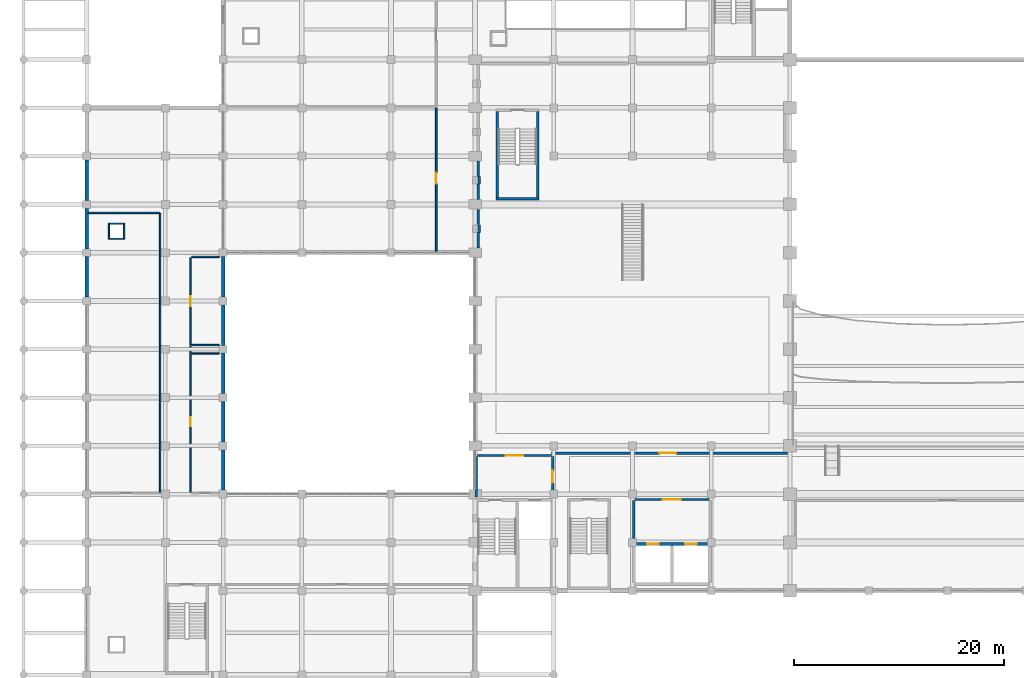
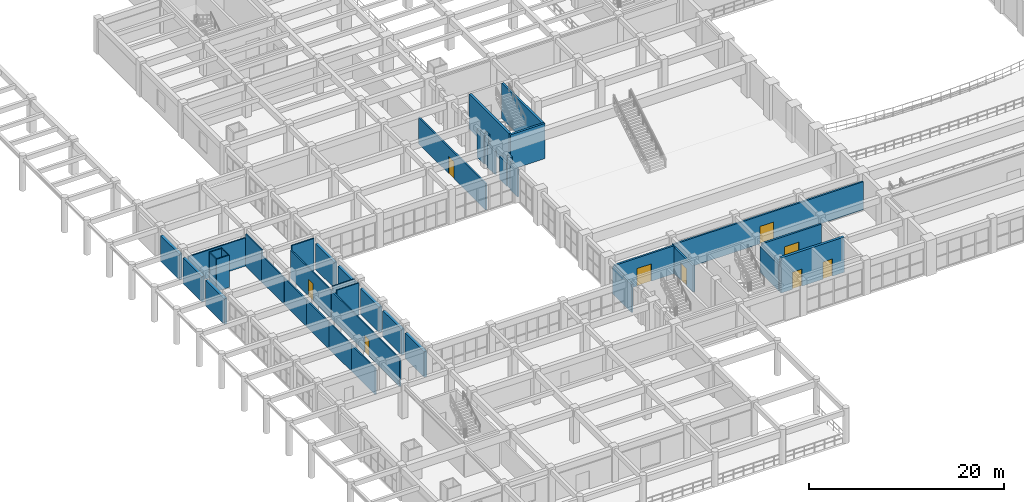
# One storey, part 96 of 116: 41 walls, 9 doors, 9 openings.
"""IFC4 building model written with IfcOpenShell, lengths in metres."""

from ifc_helpers import new_model, si_unit, direction, frame, frame_2d, origin, place, context, subcontext, project, spatial, rectangle, extrude, material, layer, layer_set, type_object, element, fill, save


model = new_model("IFC4")

# Units and contexts
model_context = context("Model", 3, precision=1e-05, world=origin(), true_north=direction((0.0, 1.0)))
body_context = subcontext(model_context, "Body", "Model", "MODEL_VIEW")
ifc_project = project(units=[si_unit("LENGTHUNIT", "METRE"), si_unit("AREAUNIT", "SQUARE_METRE"), si_unit("VOLUMEUNIT", "CUBIC_METRE"), si_unit("PLANEANGLEUNIT", "RADIAN"), si_unit("MASSUNIT", "GRAM", prefix="KILO")], contexts=[model_context])

# Site, building, storey
site_placement = place(None, origin())
site = spatial("IfcSite", under=ifc_project, at=site_placement, CompositionType="ELEMENT")
building_placement = place(site_placement, origin())
building = spatial("IfcBuilding", under=site, at=building_placement, Name="Muzn Square Opera House", CompositionType="ELEMENT")
storey_placement = place(building_placement, frame((0.0, 0.0, 5.39990234375)))
storey = spatial("IfcBuildingStorey", under=building, at=storey_placement, Name="L01", CompositionType="ELEMENT", Elevation=5.39990234375)

# Walls
ifc_material_1 = material(Name="Concrete C45/55", Category="concrete")
ifc_layer_1 = layer(ifc_material_1, 0.25, Name="Concrete C45/55", Category="concrete")
ifc_layer_set_1 = layer_set([ifc_layer_1], Name="Concrete C45/55")
wall_type_1 = type_object("IfcWallType", Name="Aux Stair Enclosure Wall 250mm", PredefinedType="SHEAR", material=ifc_layer_set_1)
wall_1_placement = place(storey_placement, frame((45.0, 59.324951171875, 0.0), z_axis=(0.0, 0.0, 1.0), x_axis=(1.0, 0.0, 0.0)))
element("IfcWall", 1, at=wall_1_placement, inside=storey, type_object=wall_type_1, Name="Escape Stair ST-9 Wall S L01", PredefinedType="SHEAR", context=body_context, shape_type="SweptSolid", body=[
    extrude(rectangle(XDim=4.10009765625, YDim=0.25, at=frame_2d((2.050048828125, 0.0))), origin(), (0.0, 0.0, 1.0), 4.400146484375),
])
for number, where, z_axis, x_axis, name in (
    (2, (45.125, 59.449951171875, 0.0), (0.0, 0.0, 1.0), (0.0, 1.0, 0.0), "Escape Stair ST-9 Wall W L01"),
    (3, (48.97509765625, 59.449951171875, 0.0), (0.0, 0.0, 1.0), (0.0, 1.0, 0.0), "Escape Stair ST-9 Wall E L01"),
):
    element("IfcWall", number, at=place(storey_placement, frame(where, z_axis=z_axis, x_axis=x_axis)), inside=storey, type_object=wall_type_1, Name=name, PredefinedType="SHEAR", context=body_context, shape_type="SweptSolid", body=[
        extrude(rectangle(XDim=8.199951171875, YDim=0.25, at=frame_2d((4.10009765625, 0.0))), origin(), (0.0, 0.0, 1.0), 4.400146484375),
    ])

# Wall, openings, doors
ifc_layer_2 = layer(ifc_material_1, 0.300048828125, Name="Concrete C45/55", Category="concrete")
ifc_layer_set_2 = layer_set([ifc_layer_2], Name="Concrete C45/55")
wall_type_2 = type_object("IfcWallType", Name="Core Shear Wall 300mm", PredefinedType="SHEAR", material=ifc_layer_set_2)
wall_2_placement = place(storey_placement, frame((58.0, 26.449951171875, 0.0), z_axis=(0.0, 0.0, 1.0), x_axis=(1.0, 0.0, 0.0)))
wall_2 = element("IfcWall", 4, at=wall_2_placement, inside=storey, type_object=wall_type_2, Name="Lift Bank LBW Front Wall L01", PredefinedType="SHEAR", context=body_context, shape_type="SweptSolid", body=[
    extrude(rectangle(XDim=7.5, YDim=0.300048828125, at=frame_2d((3.75, 0.0))), origin(), (0.0, 0.0, 1.0), 4.400146484375),
])
opening_1_placement = place(wall_2_placement, frame((1.39990234375, 0.0, 0.0)))
opening_1 = element("IfcOpeningElement", 5, at=opening_1_placement, cuts=wall_2, Name="Opening LD-01", PredefinedType="OPENING", context=body_context, shape_type="SweptSolid", body=[
    extrude(rectangle(XDim=1.10009765625, YDim=2.14990234375, at=frame_2d((0.550048828125, 1.074951171875))), frame((0.0, 0.159912109375, 0.0), z_axis=(0.0, -1.0, 0.0), x_axis=(1.0, 0.0, 0.0)), (0.0, 0.0, 1.0), 0.320068359375),
])
opening_2_placement = place(wall_2_placement, frame((5.0, 0.0, 0.0)))
opening_2 = element("IfcOpeningElement", 6, at=opening_2_placement, cuts=wall_2, Name="Opening LD-01", PredefinedType="OPENING", context=body_context, shape_type="SweptSolid", body=[
    extrude(rectangle(XDim=1.10009765625, YDim=2.14990234375, at=frame_2d((0.550048828125, 1.074951171875))), frame((0.0, 0.159912109375, 0.0), z_axis=(0.0, -1.0, 0.0), x_axis=(1.0, 0.0, 0.0)), (0.0, 0.0, 1.0), 0.320068359375),
])
ifc_material_2 = material(Name="Brushed stainless steel", Category="metal")
door_type_1 = type_object("IfcDoorType", Name="Lift Landing Sliding Door 1100x2150", OperationType="SLIDING_TO_LEFT", PredefinedType="DOOR", material=ifc_material_2)
door_1_placement = place(opening_1_placement, origin())
door_1 = element("IfcDoor", 7, at=door_1_placement, inside=storey, type_object=door_type_1, Name="Lift PL-2 Sliding Landing Door L01", OperationType="SLIDING_TO_LEFT", OverallHeight=2.14990234375, OverallWidth=1.10009765625, PredefinedType="DOOR", context=body_context, shape_type="SweptSolid", body=[
    extrude(rectangle(XDim=1.10009765625, YDim=2.14990234375, at=frame_2d((0.550048828125, 1.074951171875))), frame((0.0, 0.02490234375, 0.0), z_axis=(0.0, -1.0, 0.0), x_axis=(1.0, 0.0, 0.0)), (0.0, 0.0, 1.0), 0.050048828125),
])
fill(opening_1, door_1)
door_2_placement = place(opening_2_placement, origin())
door_2 = element("IfcDoor", 8, at=door_2_placement, inside=storey, type_object=door_type_1, Name="Lift PL-6 Sliding Landing Door L01", OperationType="SLIDING_TO_LEFT", OverallHeight=2.14990234375, OverallWidth=1.10009765625, PredefinedType="DOOR", context=body_context, shape_type="SweptSolid", body=[
    extrude(rectangle(XDim=1.10009765625, YDim=2.14990234375, at=frame_2d((0.550048828125, 1.074951171875))), frame((0.0, 0.02490234375, 0.0), z_axis=(0.0, -1.0, 0.0), x_axis=(1.0, 0.0, 0.0)), (0.0, 0.0, 1.0), 0.050048828125),
])
fill(opening_2, door_2)

# Wall, opening, door
ifc_material_3 = material(Name="Acoustic gypsum stud partition", Category="gypsum")
ifc_layer_3 = layer(ifc_material_3, 0.199951171875, Name="Acoustic gypsum stud partition", Category="gypsum")
ifc_layer_set_3 = layer_set([ifc_layer_3], Name="Acoustic gypsum stud partition")
wall_type_3 = type_object("IfcWallType", Name="Corridor Rated Partition 200mm", PredefinedType="PARTITIONING", material=ifc_layer_set_3)
wall_3_placement = place(storey_placement, frame((50.284912109375, 35.10009765625, 0.0), z_axis=(0.0, 0.0, 1.0), x_axis=(1.0, 0.0, 0.0)))
wall_3 = element("IfcWall", 9, at=wall_3_placement, inside=storey, type_object=wall_type_3, Name="Interior Partition PW-L01-0146", PredefinedType="PARTITIONING", context=body_context, shape_type="SweptSolid", body=[
    extrude(rectangle(XDim=22.5, YDim=0.199951171875, at=frame_2d((11.25, 0.0))), origin(), (0.0, 0.0, 1.0), 3.5),
])
opening_3_placement = place(wall_3_placement, frame((10.280029296875, 0.0, 0.0)))
opening_3 = element("IfcOpeningElement", 10, at=opening_3_placement, cuts=wall_3, Name="Opening DR-PL16", PredefinedType="OPENING", context=body_context, shape_type="SweptSolid", body=[
    extrude(rectangle(XDim=1.60009765625, YDim=2.179931640625, at=frame_2d((0.800048828125, 1.08984375))), frame((0.0, 0.10986328125, 0.0), z_axis=(0.0, -1.0, 0.0), x_axis=(1.0, 0.0, 0.0)), (0.0, 0.0, 1.0), 0.219970703125),
])
ifc_material_4 = material(Name="Galvanised painted steel leaf", Category="metal")
door_type_2 = type_object("IfcDoorType", Name="Plant Room Double Door 1600x2180", OperationType="DOUBLE_DOOR_SINGLE_SWING", PredefinedType="DOOR", material=ifc_material_4)
door_3_placement = place(opening_3_placement, origin())
door_3 = element("IfcDoor", 11, at=door_3_placement, inside=storey, type_object=door_type_2, Name="West Vaulted Promenade Salon Door DR-L01-0047", OperationType="DOUBLE_DOOR_SINGLE_SWING", OverallHeight=2.179931640625, OverallWidth=1.60009765625, PredefinedType="DOOR", context=body_context, shape_type="SweptSolid", body=[
    extrude(rectangle(XDim=1.60009765625, YDim=2.179931640625, at=frame_2d((0.800048828125, 1.08984375))), frame((0.0, 0.02490234375, 0.0), z_axis=(0.0, -1.0, 0.0), x_axis=(1.0, 0.0, 0.0)), (0.0, 0.0, 1.0), 0.050048828125),
])
fill(opening_3, door_3)

# Walls
wall_4_placement = place(storey_placement, frame((43.300048828125, 54.669921875, 0.0), z_axis=(0.0, 0.0, 1.0), x_axis=(0.0, 1.0, 0.0)))
element("IfcWall", 12, at=wall_4_placement, inside=storey, type_object=wall_type_3, Name="Interior Partition PW-L01-0149", PredefinedType="PARTITIONING", context=body_context, shape_type="SweptSolid", body=[
    extrude(rectangle(XDim=1.4599609375, YDim=0.199951171875, at=frame_2d((0.72998046875, 0.0))), origin(), (0.0, 0.0, 1.0), 3.5),
])
wall_5_placement = place(storey_placement, frame((43.300048828125, 56.8701171875, 0.0), z_axis=(0.0, 0.0, 1.0), x_axis=(0.0, 1.0, 0.0)))
element("IfcWall", 13, at=wall_5_placement, inside=storey, type_object=wall_type_3, Name="Interior Partition PW-L01-0150", PredefinedType="PARTITIONING", context=body_context, shape_type="SweptSolid", body=[
    extrude(rectangle(XDim=1.4599609375, YDim=0.199951171875, at=frame_2d((0.72998046875, 0.0))), origin(), (0.0, 0.0, 1.0), 2.900146484375),
])
wall_6_placement = place(storey_placement, frame((43.300048828125, 61.469970703125, 0.0), z_axis=(0.0, 0.0, 1.0), x_axis=(0.0, 1.0, 0.0)))
element("IfcWall", 14, at=wall_6_placement, inside=storey, type_object=wall_type_3, Name="Interior Partition PW-L01-0151", PredefinedType="PARTITIONING", context=body_context, shape_type="SweptSolid", body=[
    extrude(rectangle(XDim=1.4599609375, YDim=0.199951171875, at=frame_2d((0.72998046875, 0.0))), origin(), (0.0, 0.0, 1.0), 3.5),
])
wall_7_placement = place(storey_placement, frame((43.300048828125, 59.27001953125, 0.0), z_axis=(0.0, 0.0, 1.0), x_axis=(0.0, 1.0, 0.0)))
element("IfcWall", 15, at=wall_7_placement, inside=storey, type_object=wall_type_3, Name="Interior Partition PW-L01-0153", PredefinedType="PARTITIONING", context=body_context, shape_type="SweptSolid", body=[
    extrude(rectangle(XDim=1.4599609375, YDim=0.199951171875, at=frame_2d((0.72998046875, 0.0))), origin(), (0.0, 0.0, 1.0), 2.900146484375),
])
wall_8_placement = place(storey_placement, frame((43.39990234375, 60.75, 0.0), z_axis=(0.0, 0.0, 1.0), x_axis=(0.0, 1.0, 0.0)))
element("IfcWall", 16, at=wall_8_placement, inside=storey, type_object=wall_type_3, Name="Room Enclosure Partition PW-L01-0196", PredefinedType="PARTITIONING", context=body_context, shape_type="SweptSolid", body=[
    extrude(rectangle(XDim=0.699951171875, YDim=0.199951171875, at=frame_2d((0.35009765625, 0.0))), origin(), (0.0, 0.0, 1.0), 4.02001953125),
])
wall_9_placement = place(storey_placement, frame((43.39990234375, 56.14990234375, 0.0), z_axis=(0.0, 0.0, 1.0), x_axis=(0.0, 1.0, 0.0)))
element("IfcWall", 17, at=wall_9_placement, inside=storey, type_object=wall_type_3, Name="Room Enclosure Partition PW-L01-0195", PredefinedType="PARTITIONING", context=body_context, shape_type="SweptSolid", body=[
    extrude(rectangle(XDim=0.7001953125, YDim=0.199951171875, at=frame_2d((0.35009765625, 0.0))), origin(), (0.0, 0.0, 1.0), 4.02001953125),
])

# Wall, opening, door
ifc_layer_4 = layer(ifc_material_3, 0.179931640625, Name="Acoustic gypsum stud partition", Category="gypsum")
ifc_layer_set_4 = layer_set([ifc_layer_4], Name="Acoustic gypsum stud partition")
wall_type_4 = type_object("IfcWallType", Name="Dressing Suite Partition 180mm", PredefinedType="PARTITIONING", material=ifc_layer_set_4)
wall_10_placement = place(storey_placement, frame((39.300048828125, 54.284912109375, 0.0), z_axis=(0.0, 0.0, 1.0), x_axis=(0.0, 1.0, 0.0)))
wall_10 = element("IfcWall", 18, at=wall_10_placement, inside=storey, type_object=wall_type_4, Name="Interior Partition PW-L01-0178", PredefinedType="PARTITIONING", context=body_context, shape_type="SweptSolid", body=[
    extrude(rectangle(XDim=13.739990234375, YDim=0.179931640625, at=frame_2d((6.8701171875, 0.0))), origin(), (0.0, 0.0, 1.0), 3.300048828125),
])
opening_4_placement = place(wall_10_placement, frame((6.489990234375, 0.0, 0.0)))
opening_4 = element("IfcOpeningElement", 19, at=opening_4_placement, cuts=wall_10, Name="Opening DR-CD10", PredefinedType="OPENING", context=body_context, shape_type="SweptSolid", body=[
    extrude(rectangle(XDim=1.050048828125, YDim=2.14990234375, at=frame_2d((0.52490234375, 1.074951171875))), frame((0.0, 0.099853515625, 0.0), z_axis=(0.0, -1.0, 0.0), x_axis=(1.0, 0.0, 0.0)), (0.0, 0.0, 1.0), 0.199951171875),
])
ifc_material_5 = material(Name="Acoustic hardwood leaf", Category="wood")
door_type_3 = type_object("IfcDoorType", Name="Chorus Dressing Door 1050x2150", OperationType="NOTDEFINED", PredefinedType="DOOR", material=ifc_material_5)
door_4_placement = place(opening_4_placement, origin())
door_4 = element("IfcDoor", 20, at=door_4_placement, inside=storey, type_object=door_type_3, Name="Chorus Dressing Room Women Door DR-L01-0061", OperationType="SINGLE_SWING_RIGHT", OverallHeight=2.14990234375, OverallWidth=1.050048828125, PredefinedType="DOOR", context=body_context, shape_type="SweptSolid", body=[
    extrude(rectangle(XDim=1.050048828125, YDim=2.14990234375, at=frame_2d((0.52490234375, 1.074951171875))), frame((0.0, 0.02490234375, 0.0), z_axis=(0.0, -1.0, 0.0), x_axis=(1.0, 0.0, 0.0)), (0.0, 0.0, 1.0), 0.050048828125),
])
fill(opening_4, door_4)

# Walls
ifc_material_6 = material(Name="Concrete C40/50", Category="concrete")
ifc_layer_5 = layer(ifc_material_6, 0.340087890625, Name="Concrete C40/50", Category="concrete")
ifc_layer_set_5 = layer_set([ifc_layer_5], Name="Concrete C40/50")
wall_type_5 = type_object("IfcWallType", Name="Exterior Insulated Spandrel Wall 340mm", PredefinedType="SOLIDWALL", material=ifc_layer_set_5)
wall_11_placement = place(storey_placement, frame((6.0, 49.97509765625, 0.0), z_axis=(0.0, 0.0, 1.0), x_axis=(0.0, 1.0, 0.0)))
element("IfcWall", 21, at=wall_11_placement, inside=storey, type_object=wall_type_5, Name="Exterior Facade Wall EW-L01-146", PredefinedType="SOLIDWALL", context=body_context, shape_type="SweptSolid", body=[
    extrude(rectangle(XDim=3.849853515625, YDim=0.340087890625, at=frame_2d((1.9248046875, 0.0))), origin(), (0.0, 0.0, 1.0), 3.2001953125),
])
wall_12_placement = place(storey_placement, frame((6.0, 54.574951171875, 0.0), z_axis=(0.0, 0.0, 1.0), x_axis=(0.0, 1.0, 0.0)))
element("IfcWall", 22, at=wall_12_placement, inside=storey, type_object=wall_type_5, Name="Exterior Facade Wall EW-L01-147", PredefinedType="SOLIDWALL", context=body_context, shape_type="SweptSolid", body=[
    extrude(rectangle(XDim=3.85009765625, YDim=0.340087890625, at=frame_2d((1.925048828125, 0.0))), origin(), (0.0, 0.0, 1.0), 3.2001953125),
])
wall_13_placement = place(storey_placement, frame((6.0, 59.175048828125, 0.0), z_axis=(0.0, 0.0, 1.0), x_axis=(0.0, 1.0, 0.0)))
element("IfcWall", 23, at=wall_13_placement, inside=storey, type_object=wall_type_5, Name="Exterior Facade Wall EW-L01-148", PredefinedType="SOLIDWALL", context=body_context, shape_type="SweptSolid", body=[
    extrude(rectangle(XDim=3.849853515625, YDim=0.340087890625, at=frame_2d((1.9248046875, 0.0))), origin(), (0.0, 0.0, 1.0), 3.2001953125),
])
wall_14_placement = place(storey_placement, frame((19.0, 31.574951171875, 0.0), z_axis=(0.0, 0.0, 1.0), x_axis=(0.0, 1.0, 0.0)))
element("IfcWall", 24, at=wall_14_placement, inside=storey, type_object=wall_type_5, Name="Exterior Facade Wall EW-L01-180", PredefinedType="SOLIDWALL", context=body_context, shape_type="SweptSolid", body=[
    extrude(rectangle(XDim=3.85009765625, YDim=0.340087890625, at=frame_2d((1.925048828125, 0.0))), origin(), (0.0, 0.0, 1.0), 3.2001953125),
])
wall_15_placement = place(storey_placement, frame((19.0, 36.175048828125, 0.0), z_axis=(0.0, 0.0, 1.0), x_axis=(0.0, 1.0, 0.0)))
element("IfcWall", 25, at=wall_15_placement, inside=storey, type_object=wall_type_5, Name="Exterior Facade Wall EW-L01-181", PredefinedType="SOLIDWALL", context=body_context, shape_type="SweptSolid", body=[
    extrude(rectangle(XDim=3.849853515625, YDim=0.340087890625, at=frame_2d((1.9248046875, 0.0))), origin(), (0.0, 0.0, 1.0), 3.2001953125),
])
for number, where, z_axis, x_axis, name in (
    (26, (19.0, 40.77490234375, 0.0), (0.0, 0.0, 1.0), (0.0, 1.0, 0.0), "Exterior Facade Wall EW-L01-182"),
    (27, (19.0, 45.375, 0.0), (0.0, 0.0, 1.0), (0.0, 1.0, 0.0), "Exterior Facade Wall EW-L01-183"),
):
    element("IfcWall", number, at=place(storey_placement, frame(where, z_axis=z_axis, x_axis=x_axis)), inside=storey, type_object=wall_type_5, Name=name, PredefinedType="SOLIDWALL", context=body_context, shape_type="SweptSolid", body=[
        extrude(rectangle(XDim=3.85009765625, YDim=0.340087890625, at=frame_2d((1.925048828125, 0.0))), origin(), (0.0, 0.0, 1.0), 3.2001953125),
    ])
wall_16_placement = place(storey_placement, frame((19.0, 49.97509765625, 0.0), z_axis=(0.0, 0.0, 1.0), x_axis=(0.0, 1.0, 0.0)))
element("IfcWall", 28, at=wall_16_placement, inside=storey, type_object=wall_type_5, Name="Exterior Facade Wall EW-L01-184", PredefinedType="SOLIDWALL", context=body_context, shape_type="SweptSolid", body=[
    extrude(rectangle(XDim=3.849853515625, YDim=0.340087890625, at=frame_2d((1.9248046875, 0.0))), origin(), (0.0, 0.0, 1.0), 3.2001953125),
])

# Wall, opening, door
ifc_layer_6 = layer(ifc_material_6, 0.219970703125, Name="Concrete C40/50", Category="concrete")
ifc_layer_set_6 = layer_set([ifc_layer_6], Name="Concrete C40/50")
wall_type_6 = type_object("IfcWallType", Name="Lift Lobby Wall 220mm", PredefinedType="SOLIDWALL", material=ifc_layer_set_6)
wall_17_placement = place(storey_placement, frame((43.219970703125, 34.889892578125, 0.0), z_axis=(0.0, 0.0, 1.0), x_axis=(1.0, 0.0, 0.0)))
wall_17 = element("IfcWall", 29, at=wall_17_placement, inside=storey, type_object=wall_type_6, Name="Lobby C3 Enclosure Wall L01", PredefinedType="SOLIDWALL", context=body_context, shape_type="SweptSolid", body=[
    extrude(rectangle(XDim=7.06005859375, YDim=0.219970703125, at=frame_2d((3.530029296875, 0.0))), origin(), (0.0, 0.0, 1.0), 3.5),
])
opening_5_placement = place(wall_17_placement, frame((2.679931640625, 0.0, 0.0)))
opening_5 = element("IfcOpeningElement", 30, at=opening_5_placement, cuts=wall_17, Name="Opening DR-LL17", PredefinedType="OPENING", context=body_context, shape_type="SweptSolid", body=[
    extrude(rectangle(XDim=1.699951171875, YDim=2.179931640625, at=frame_2d((0.85009765625, 1.08984375))), frame((0.0, 0.119873046875, 0.0), z_axis=(0.0, -1.0, 0.0), x_axis=(1.0, 0.0, 0.0)), (0.0, 0.0, 1.0), 0.239990234375),
])
door_type_4 = type_object("IfcDoorType", Name="Lift Lobby Double Door 1700x2180", OperationType="DOUBLE_DOOR_SINGLE_SWING", PredefinedType="DOOR", material=ifc_material_5)
door_5_placement = place(opening_5_placement, origin())
door_5 = element("IfcDoor", 31, at=door_5_placement, inside=storey, type_object=door_type_4, Name="Lobby C3 Fire Door L01", OperationType="DOUBLE_DOOR_SINGLE_SWING", OverallHeight=2.179931640625, OverallWidth=1.699951171875, PredefinedType="DOOR", context=body_context, shape_type="SweptSolid", body=[
    extrude(rectangle(XDim=1.699951171875, YDim=2.179931640625, at=frame_2d((0.85009765625, 1.08984375))), frame((0.0, 0.02490234375, 0.0), z_axis=(0.0, -1.0, 0.0), x_axis=(1.0, 0.0, 0.0)), (0.0, 0.0, 1.0), 0.050048828125),
])
fill(opening_5, door_5)

# Wall
wall_18_placement = place(storey_placement, frame((43.110107421875, 30.949951171875, 0.0), z_axis=(0.0, 0.0, 1.0), x_axis=(0.0, 1.0, 0.0)))
element("IfcWall", 32, at=wall_18_placement, inside=storey, type_object=wall_type_6, Name="Lobby C3 Side Wall W L01", PredefinedType="SOLIDWALL", context=body_context, shape_type="SweptSolid", body=[
    extrude(rectangle(XDim=3.830078125, YDim=0.219970703125, at=frame_2d((1.9150390625, 0.0))), origin(), (0.0, 0.0, 1.0), 3.5),
])

# Wall, opening, door
wall_19_placement = place(storey_placement, frame((50.389892578125, 30.949951171875, 0.0), z_axis=(0.0, 0.0, 1.0), x_axis=(0.0, 1.0, 0.0)))
wall_19 = element("IfcWall", 33, at=wall_19_placement, inside=storey, type_object=wall_type_6, Name="Lobby C3 Side Wall E L01", PredefinedType="SOLIDWALL", context=body_context, shape_type="SweptSolid", body=[
    extrude(rectangle(XDim=3.830078125, YDim=0.219970703125, at=frame_2d((1.9150390625, 0.0))), origin(), (0.0, 0.0, 1.0), 3.300048828125),
])
opening_6_placement = place(wall_19_placement, frame((2.514892578125, 0.0, 0.0), z_axis=(0.0, 0.0, 1.0), x_axis=(-1.0, 0.0, 0.0)))
opening_6 = element("IfcOpeningElement", 34, at=opening_6_placement, cuts=wall_19, Name="Opening DR-ST12", PredefinedType="OPENING", context=body_context, shape_type="SweptSolid", body=[
    extrude(rectangle(XDim=1.199951171875, YDim=2.14990234375, at=frame_2d((0.60009765625, 1.074951171875))), frame((0.0, 0.119873046875, 0.0), z_axis=(0.0, -1.0, 0.0), x_axis=(1.0, 0.0, 0.0)), (0.0, 0.0, 1.0), 0.239990234375),
])
door_type_5 = type_object("IfcDoorType", Name="Core Stair Fire Door 1200x2150", OperationType="NOTDEFINED", PredefinedType="DOOR", material=ifc_material_4)
door_6_placement = place(opening_6_placement, origin())
door_6 = element("IfcDoor", 35, at=door_6_placement, inside=storey, type_object=door_type_5, Name="Lobby C3 Side Door E L01", OperationType="SINGLE_SWING_RIGHT", OverallHeight=2.14990234375, OverallWidth=1.199951171875, PredefinedType="DOOR", context=body_context, shape_type="SweptSolid", body=[
    extrude(rectangle(XDim=1.199951171875, YDim=2.14990234375, at=frame_2d((0.60009765625, 1.074951171875))), frame((0.0, 0.02490234375, 0.0), z_axis=(0.0, -1.0, 0.0), x_axis=(1.0, 0.0, 0.0)), (0.0, 0.0, 1.0), 0.050048828125),
])
fill(opening_6, door_6)

wall_20_placement = place(storey_placement, frame((58.219970703125, 30.68994140625, 0.0), z_axis=(0.0, 0.0, 1.0), x_axis=(1.0, 0.0, 0.0)))
wall_20 = element("IfcWall", 36, at=wall_20_placement, inside=storey, type_object=wall_type_6, Name="Lift Lobby LBW Wall L01", PredefinedType="SOLIDWALL", context=body_context, shape_type="SweptSolid", body=[
    extrude(rectangle(XDim=7.06005859375, YDim=0.219970703125, at=frame_2d((3.530029296875, 0.0))), origin(), (0.0, 0.0, 1.0), 3.5),
])
opening_7_placement = place(wall_20_placement, frame((2.679931640625, 0.0, 0.0)))
opening_7 = element("IfcOpeningElement", 37, at=opening_7_placement, cuts=wall_20, Name="Opening DR-LL17", PredefinedType="OPENING", context=body_context, shape_type="SweptSolid", body=[
    extrude(rectangle(XDim=1.699951171875, YDim=2.179931640625, at=frame_2d((0.85009765625, 1.08984375))), frame((0.0, 0.119873046875, 0.0), z_axis=(0.0, -1.0, 0.0), x_axis=(1.0, 0.0, 0.0)), (0.0, 0.0, 1.0), 0.239990234375),
])
door_7_placement = place(opening_7_placement, origin())
door_7 = element("IfcDoor", 38, at=door_7_placement, inside=storey, type_object=door_type_4, Name="Lift Lobby LBW Door L01", OperationType="DOUBLE_DOOR_SINGLE_SWING", OverallHeight=2.179931640625, OverallWidth=1.699951171875, PredefinedType="DOOR", context=body_context, shape_type="SweptSolid", body=[
    extrude(rectangle(XDim=1.699951171875, YDim=2.179931640625, at=frame_2d((0.85009765625, 1.08984375))), frame((0.0, 0.02490234375, 0.0), z_axis=(0.0, -1.0, 0.0), x_axis=(1.0, 0.0, 0.0)), (0.0, 0.0, 1.0), 0.050048828125),
])
fill(opening_7, door_7)

# Walls
wall_21_placement = place(storey_placement, frame((58.110107421875, 26.75, 0.0), z_axis=(0.0, 0.0, 1.0), x_axis=(0.0, 1.0, 0.0)))
element("IfcWall", 39, at=wall_21_placement, inside=storey, type_object=wall_type_6, Name="Lift Lobby LBW Side Wall W L01", PredefinedType="SOLIDWALL", context=body_context, shape_type="SweptSolid", body=[
    extrude(rectangle(XDim=3.830078125, YDim=0.219970703125, at=frame_2d((1.9150390625, 0.0))), origin(), (0.0, 0.0, 1.0), 3.300048828125),
])
ifc_layer_7 = layer(ifc_material_3, 0.14990234375, Name="Acoustic gypsum stud partition", Category="gypsum")
ifc_layer_set_7 = layer_set([ifc_layer_7], Name="Acoustic gypsum stud partition")
wall_type_7 = type_object("IfcWallType", Name="Office Acoustic Partition 150mm", PredefinedType="PARTITIONING", material=ifc_layer_set_7)
wall_22_placement = place(storey_placement, frame((6.175048828125, 58.0, 0.0), z_axis=(0.0, 0.0, 1.0), x_axis=(1.0, 0.0, 0.0)))
element("IfcWall", 40, at=wall_22_placement, inside=storey, type_object=wall_type_7, Name="Room Enclosure Partition PW-L01-0233", PredefinedType="PARTITIONING", context=body_context, shape_type="SweptSolid", body=[
    extrude(rectangle(XDim=6.764892578125, YDim=0.14990234375, at=frame_2d((3.38232421875, 0.0))), origin(), (0.0, 0.0, 1.0), 3.530029296875),
])
wall_23_placement = place(storey_placement, frame((13.0, 31.3798828125, 0.0), z_axis=(0.0, 0.0, 1.0), x_axis=(0.0, 1.0, 0.0)))
element("IfcWall", 41, at=wall_23_placement, inside=storey, type_object=wall_type_7, Name="Room Enclosure Partition PW-L01-0234", PredefinedType="PARTITIONING", context=body_context, shape_type="SweptSolid", body=[
    extrude(rectangle(XDim=4.81005859375, YDim=0.14990234375, at=frame_2d((2.405029296875, 0.0))), origin(), (0.0, 0.0, 1.0), 3.300048828125),
])
wall_24_placement = place(storey_placement, frame((13.0, 49.9951171875, 0.0), z_axis=(0.0, 0.0, 1.0), x_axis=(0.0, 1.0, 0.0)))
element("IfcWall", 42, at=wall_24_placement, inside=storey, type_object=wall_type_7, Name="Room Enclosure Partition PW-L01-0238", PredefinedType="PARTITIONING", context=body_context, shape_type="SweptSolid", body=[
    extrude(rectangle(XDim=4.594970703125, YDim=0.14990234375, at=frame_2d((2.29736328125, 0.0))), origin(), (0.0, 0.0, 1.0), 3.330078125),
])
wall_25_placement = place(storey_placement, frame((13.0, 36.2099609375, 0.0), z_axis=(0.0, 0.0, 1.0), x_axis=(0.0, 1.0, 0.0)))
element("IfcWall", 43, at=wall_25_placement, inside=storey, type_object=wall_type_7, Name="Room Enclosure Partition PW-L01-0235", PredefinedType="PARTITIONING", context=body_context, shape_type="SweptSolid", body=[
    extrude(rectangle(XDim=4.580078125, YDim=0.14990234375, at=frame_2d((2.2900390625, 0.0))), origin(), (0.0, 0.0, 1.0), 3.330078125),
])
wall_26_placement = place(storey_placement, frame((13.0, 40.81005859375, 0.0), z_axis=(0.0, 0.0, 1.0), x_axis=(0.0, 1.0, 0.0)))
element("IfcWall", 44, at=wall_26_placement, inside=storey, type_object=wall_type_7, Name="Room Enclosure Partition PW-L01-0236", PredefinedType="PARTITIONING", context=body_context, shape_type="SweptSolid", body=[
    extrude(rectangle(XDim=4.579833984375, YDim=0.14990234375, at=frame_2d((2.2900390625, 0.0))), origin(), (0.0, 0.0, 1.0), 3.330078125),
])
wall_27_placement = place(storey_placement, frame((13.0, 45.409912109375, 0.0), z_axis=(0.0, 0.0, 1.0), x_axis=(0.0, 1.0, 0.0)))
element("IfcWall", 45, at=wall_27_placement, inside=storey, type_object=wall_type_7, Name="Room Enclosure Partition PW-L01-0237", PredefinedType="PARTITIONING", context=body_context, shape_type="SweptSolid", body=[
    extrude(rectangle(XDim=4.565185546875, YDim=0.14990234375, at=frame_2d((2.28271484375, 0.0))), origin(), (0.0, 0.0, 1.0), 3.330078125),
])
wall_28_placement = place(storey_placement, frame((13.0, 54.610107421875, 0.0), z_axis=(0.0, 0.0, 1.0), x_axis=(0.0, 1.0, 0.0)))
element("IfcWall", 46, at=wall_28_placement, inside=storey, type_object=wall_type_7, Name="Room Enclosure Partition PW-L01-0239", PredefinedType="PARTITIONING", context=body_context, shape_type="SweptSolid", body=[
    extrude(rectangle(XDim=3.329833984375, YDim=0.14990234375, at=frame_2d((1.6650390625, 0.0))), origin(), (0.0, 0.0, 1.0), 4.02001953125),
])
ifc_layer_8 = layer(ifc_material_3, 0.1298828125, Name="Acoustic gypsum stud partition", Category="gypsum")
ifc_layer_set_8 = layer_set([ifc_layer_8], Name="Acoustic gypsum stud partition")
wall_type_8 = type_object("IfcWallType", Name="Service Closet Partition 130mm", PredefinedType="PARTITIONING", material=ifc_layer_set_8)
for number, where, z_axis, x_axis, name in (
    (47, (8.070068359375, 55.534912109375, 0.0), (0.0, 0.0, 1.0), (1.0, 0.0, 0.0), "MEP Riser Shaft Wall RSR-WO L01-S"),
    (48, (8.070068359375, 56.965087890625, 0.0), (0.0, 0.0, 1.0), (1.0, 0.0, 0.0), "MEP Riser Shaft Wall RSR-WO L01-N"),
):
    element("IfcWall", number, at=place(storey_placement, frame(where, z_axis=z_axis, x_axis=x_axis)), inside=storey, type_object=wall_type_8, Name=name, PredefinedType="PARTITIONING", context=body_context, shape_type="SweptSolid", body=[
        extrude(rectangle(XDim=1.559814453125, YDim=0.1298828125, at=frame_2d((0.77978515625, 0.0))), origin(), (0.0, 0.0, 1.0), 4.02001953125),
    ])
for number, where, z_axis, x_axis, name in (
    (49, (8.135009765625, 55.60009765625, 0.0), (0.0, 0.0, 1.0), (0.0, 1.0, 0.0), "MEP Riser Shaft Wall RSR-WO L01-W"),
    (50, (9.56494140625, 55.60009765625, 0.0), (0.0, 0.0, 1.0), (0.0, 1.0, 0.0), "MEP Riser Shaft Wall RSR-WO L01-E"),
):
    element("IfcWall", number, at=place(storey_placement, frame(where, z_axis=z_axis, x_axis=x_axis)), inside=storey, type_object=wall_type_8, Name=name, PredefinedType="PARTITIONING", context=body_context, shape_type="SweptSolid", body=[
        extrude(rectangle(XDim=1.2998046875, YDim=0.1298828125, at=frame_2d((0.64990234375, 0.0))), origin(), (0.0, 0.0, 1.0), 4.02001953125),
    ])

# Wall, opening, door
ifc_layer_9 = layer(ifc_material_3, 0.139892578125, Name="Acoustic gypsum stud partition", Category="gypsum")
ifc_layer_set_9 = layer_set([ifc_layer_9], Name="Acoustic gypsum stud partition")
wall_type_9 = type_object("IfcWallType", Name="Wet Room Tile Partition 140mm", PredefinedType="PARTITIONING", material=ifc_layer_set_9)
wall_29_placement = place(storey_placement, frame((15.89990234375, 31.375, 0.0), z_axis=(0.0, 0.0, 1.0), x_axis=(0.0, 1.0, 0.0)))
wall_29 = element("IfcWall", 51, at=wall_29_placement, inside=storey, type_object=wall_type_9, Name="Interior Partition PW-L01-0181", PredefinedType="PARTITIONING", context=body_context, shape_type="SweptSolid", body=[
    extrude(rectangle(XDim=13.969970703125, YDim=0.139892578125, at=frame_2d((6.98486328125, 0.0))), origin(), (0.0, 0.0, 1.0), 3.5),
])
opening_8_placement = place(wall_29_placement, frame((6.27490234375, 0.0, 0.0)))
opening_8 = element("IfcOpeningElement", 52, at=opening_8_placement, cuts=wall_29, Name="Opening DR-WC90", PredefinedType="OPENING", context=body_context, shape_type="SweptSolid", body=[
    extrude(rectangle(XDim=0.89990234375, YDim=2.10009765625, at=frame_2d((0.449951171875, 1.050048828125))), frame((0.0, 0.079833984375, 0.0), z_axis=(0.0, -1.0, 0.0), x_axis=(1.0, 0.0, 0.0)), (0.0, 0.0, 1.0), 0.159912109375),
])
door_type_6 = type_object("IfcDoorType", Name="Public WC Lobby Door 900x2100", OperationType="NOTDEFINED", PredefinedType="DOOR", material=ifc_material_5)
door_8_placement = place(opening_8_placement, origin())
door_8 = element("IfcDoor", 53, at=door_8_placement, inside=storey, type_object=door_type_6, Name="Chorus Shower and WC Suite Door DR-L01-0064", OperationType="SINGLE_SWING_LEFT", OverallHeight=2.10009765625, OverallWidth=0.89990234375, PredefinedType="DOOR", context=body_context, shape_type="SweptSolid", body=[
    extrude(rectangle(XDim=0.89990234375, YDim=2.10009765625, at=frame_2d((0.449951171875, 1.050048828125))), frame((0.0, 0.02490234375, 0.0), z_axis=(0.0, -1.0, 0.0), x_axis=(1.0, 0.0, 0.0)), (0.0, 0.0, 1.0), 0.050048828125),
])
fill(opening_8, door_8)

wall_30_placement = place(storey_placement, frame((15.89990234375, 45.455078125, 0.0), z_axis=(0.0, 0.0, 1.0), x_axis=(0.0, 1.0, 0.0)))
wall_30 = element("IfcWall", 54, at=wall_30_placement, inside=storey, type_object=wall_type_9, Name="Interior Partition PW-L01-0184", PredefinedType="PARTITIONING", context=body_context, shape_type="SweptSolid", body=[
    extrude(rectangle(XDim=8.2900390625, YDim=0.139892578125, at=frame_2d((4.14501953125, 0.0))), origin(), (0.0, 0.0, 1.0), 3.530029296875),
])
opening_9_placement = place(wall_30_placement, frame((3.669921875, 0.0, 0.0)))
opening_9 = element("IfcOpeningElement", 55, at=opening_9_placement, cuts=wall_30, Name="Opening DR-AW95", PredefinedType="OPENING", context=body_context, shape_type="SweptSolid", body=[
    extrude(rectangle(XDim=0.949951171875, YDim=2.10009765625, at=frame_2d((0.47509765625, 1.050048828125))), frame((0.0, 0.079833984375, 0.0), z_axis=(0.0, -1.0, 0.0), x_axis=(1.0, 0.0, 0.0)), (0.0, 0.0, 1.0), 0.159912109375),
])
door_type_7 = type_object("IfcDoorType", Name="Accessible WC Door 950x2100", OperationType="NOTDEFINED", PredefinedType="DOOR", material=ifc_material_5)
door_9_placement = place(opening_9_placement, origin())
door_9 = element("IfcDoor", 56, at=door_9_placement, inside=storey, type_object=door_type_7, Name="West Chorus Accessible WC Door DR-L01-0067", OperationType="SINGLE_SWING_RIGHT", OverallHeight=2.10009765625, OverallWidth=0.949951171875, PredefinedType="DOOR", context=body_context, shape_type="SweptSolid", body=[
    extrude(rectangle(XDim=0.949951171875, YDim=2.10009765625, at=frame_2d((0.47509765625, 1.050048828125))), frame((0.0, 0.02490234375, 0.0), z_axis=(0.0, -1.0, 0.0), x_axis=(1.0, 0.0, 0.0)), (0.0, 0.0, 1.0), 0.050048828125),
])
fill(opening_9, door_9)

# Walls
for number, where, z_axis, x_axis, name in (
    (57, (16.0, 44.60009765625, 0.0), (0.0, 0.0, 1.0), (1.0, 0.0, 0.0), "Room Enclosure Partition PW-L01-0240"),
    (58, (16.0, 45.39990234375, 0.0), (0.0, 0.0, 1.0), (1.0, 0.0, 0.0), "Room Enclosure Partition PW-L01-0242"),
    (59, (16.0, 53.800048828125, 0.0), (0.0, 0.0, 1.0), (1.0, 0.0, 0.0), "Room Enclosure Partition PW-L01-0243"),
):
    element("IfcWall", number, at=place(storey_placement, frame(where, z_axis=z_axis, x_axis=x_axis)), inside=storey, type_object=wall_type_9, Name=name, PredefinedType="PARTITIONING", context=body_context, shape_type="SweptSolid", body=[
        extrude(rectangle(XDim=2.6201171875, YDim=0.139892578125, at=frame_2d((1.31005859375, 0.0))), origin(), (0.0, 0.0, 1.0), 4.02001953125),
    ])

save(model, "model.ifc")
